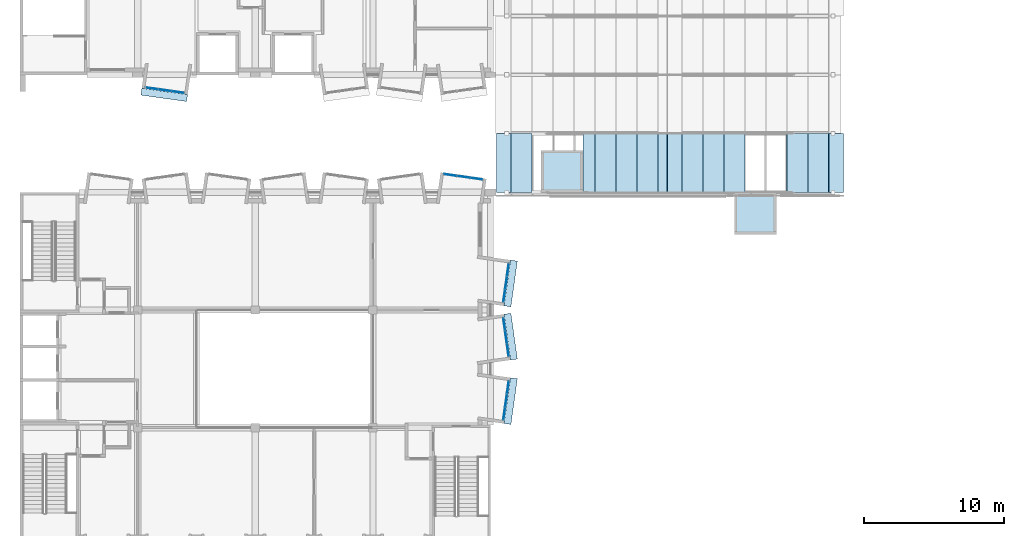
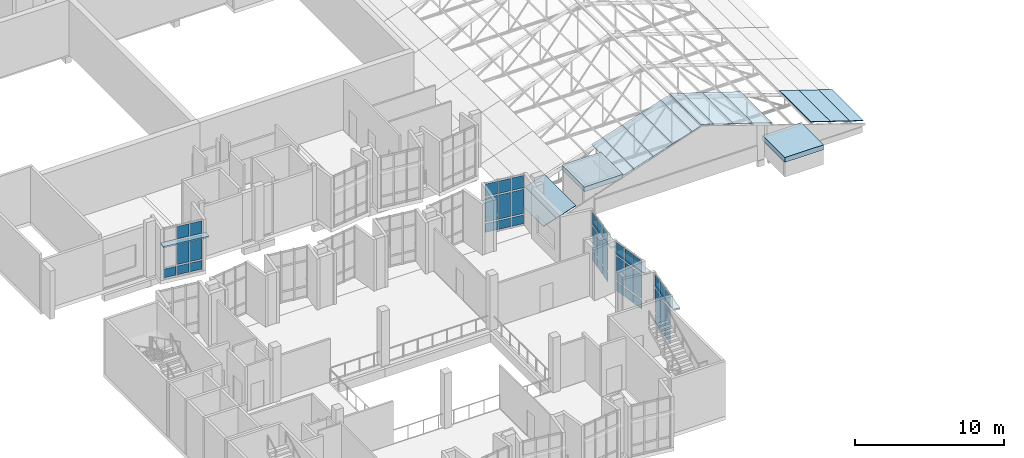
# One storey, part 70 of 95: 61 plates, 2 slabs, 5 elements without a shape of their own.
"""IFC4 building model written with IfcOpenShell, lengths in metres."""

import ifcopenshell
import ifcopenshell.guid

model = None  # the IFC model being written
_history = None  # IfcOwnerHistory: only IFC2X3 demands one
_inside = {}  # id of a spatial element -> (the spatial element, [elements in it])
_under = {}  # id of a project, library or spatial element -> (it, [spatial elements below it])
_declared = {}  # id of a project -> (the project, [libraries it declares])
_typed = {}  # id of a type object -> (the type object, [elements of that type])
_made_of = {}  # id of a material, layer set ... -> (it, [elements and type objects made of it])


def new_model(schema):
    """Start an empty IFC model of exactly this schema.

    Asked for "IFC4X3", IfcOpenShell would pick the latest addendum, in which some entities
    have other attributes; the version numbers below select the first issue.
    IFC2X3 requires an IfcOwnerHistory on every rooted entity: one is made here for all.
    """
    global model, _history
    if schema == "IFC4X3":
        model = ifcopenshell.file(schema_version=(4, 3, 0, 0))
    else:
        model = ifcopenshell.file(schema=schema)
    _inside.clear()
    _under.clear()
    _declared.clear()
    _typed.clear()
    _made_of.clear()
    _history = None
    if model.schema == "IFC2X3":
        org = make("IfcOrganization", Name="unknown")
        user = make(
            "IfcPersonAndOrganization",
            ThePerson=make("IfcPerson", FamilyName="unknown"),
            TheOrganization=org,
        )
        app = make(
            "IfcApplication",
            ApplicationDeveloper=org,
            Version="unknown",
            ApplicationFullName="unknown",
            ApplicationIdentifier="unknown",
        )
        _history = make(
            "IfcOwnerHistory",
            OwningUser=user,
            OwningApplication=app,
            ChangeAction="ADDED",
            CreationDate=0,
        )
    return model


def make(cls, **values):
    """One entity of the class cls with the attributes given. An attribute that is None is left unset."""
    return model.create_entity(
        cls, **{name: value for name, value in values.items() if value is not None}
    )


def rooted(cls, **values):
    """An entity with a GlobalId (a new one), such as an element, a storey or a relation."""
    return make(cls, GlobalId=ifcopenshell.guid.new(), OwnerHistory=_history, **values)


def si_unit(unit_type, name, prefix=None):
    """IfcSIUnit, for example si_unit("LENGTHUNIT", "METRE", prefix="MILLI")."""
    return make("IfcSIUnit", UnitType=unit_type, Prefix=prefix, Name=name)


def assignment(units):
    """IfcUnitAssignment: the units of a project."""
    return None if units is None else make("IfcUnitAssignment", Units=units)


def point(xyz):
    """IfcCartesianPoint."""
    return None if xyz is None else make("IfcCartesianPoint", Coordinates=xyz)


def direction(xyz):
    """IfcDirection."""
    return None if xyz is None else make("IfcDirection", DirectionRatios=xyz)


def frame(location, z_axis=None, x_axis=None):
    """IfcAxis2Placement3D, a coordinate frame: its origin and axes. An axis left out is left unset."""
    return make(
        "IfcAxis2Placement3D",
        Location=point(location),
        Axis=direction(z_axis),
        RefDirection=direction(x_axis),
    )


def frame_2d(location, x_axis=None):
    """IfcAxis2Placement2D, a coordinate frame in the plane: its origin and x axis."""
    return make(
        "IfcAxis2Placement2D", Location=point(location), RefDirection=direction(x_axis)
    )


def origin():
    """The frame at (0, 0, 0) with its axes left unset."""
    return frame((0.0, 0.0, 0.0))


def origin_2d():
    """The frame at (0, 0) in the plane with its x axis left unset."""
    return frame_2d((0.0, 0.0))


def place(relative_to, where):
    """IfcLocalPlacement: puts the frame where relative to a parent placement (None: the world)."""
    return make(
        "IfcLocalPlacement", PlacementRelTo=relative_to, RelativePlacement=where
    )


def context(
    kind, dimensions, precision=None, world=None, true_north=None, identifier=None
):
    """IfcGeometricRepresentationContext, for example the 3D "Model" context."""
    return make(
        "IfcGeometricRepresentationContext",
        ContextIdentifier=identifier,
        ContextType=kind,
        CoordinateSpaceDimension=dimensions,
        Precision=precision,
        WorldCoordinateSystem=world,
        TrueNorth=true_north,
    )


def subcontext(parent, identifier, kind, view, scale=None):
    """IfcGeometricRepresentationSubContext, for example "Body" below "Model"."""
    return make(
        "IfcGeometricRepresentationSubContext",
        ContextIdentifier=identifier,
        ContextType=kind,
        ParentContext=parent,
        TargetScale=scale,
        TargetView=view,
    )


def project(units=None, contexts=None):
    """IfcProject with its units and contexts."""
    return rooted(
        "IfcProject",
        Name="project",
        RepresentationContexts=contexts,
        UnitsInContext=assignment(units),
    )


def spatial(cls, under=None, at=None, **own):
    """A site, building, storey or space (cls), placed at a placement, below another one or the project."""
    s = rooted(cls, ObjectPlacement=at, **own)
    if under is not None:
        _under.setdefault(under.id(), (under, []))[1].append(s)
    return s


def polyline(points):
    """IfcPolyline through the points."""
    return make("IfcPolyline", Points=[point(p) for p in points])


def profile(cls, at=None, kind="AREA", **sizes):
    """A parametric profile (cls). Its sizes go by their IFC names, for example OverallWidth=200.0."""
    return make(cls, ProfileType=kind, Position=at, **sizes)


def rectangle(**sizes):
    """IfcRectangleProfileDef."""
    return profile("IfcRectangleProfileDef", **sizes)


def outline(outer, holes=None, kind="AREA"):
    """IfcArbitraryClosedProfileDef: a profile drawn as a closed curve; with holes, ...WithVoids."""
    if holes is None:
        return make("IfcArbitraryClosedProfileDef", ProfileType=kind, OuterCurve=outer)
    return make(
        "IfcArbitraryProfileDefWithVoids",
        ProfileType=kind,
        OuterCurve=outer,
        InnerCurves=holes,
    )


def extrude(swept, where, along, depth):
    """IfcExtrudedAreaSolid: the profile swept, set in the frame where, extruded along a direction by depth."""
    return make(
        "IfcExtrudedAreaSolid",
        SweptArea=swept,
        Position=where,
        ExtrudedDirection=direction(along),
        Depth=depth,
    )


def shape(context_of_items, identifier, shape_type, items):
    """IfcShapeRepresentation: the items that make up one representation, for example the "Body"."""
    return make(
        "IfcShapeRepresentation",
        ContextOfItems=context_of_items,
        RepresentationIdentifier=identifier,
        RepresentationType=shape_type,
        Items=items,
    )


def material(Name=None, Category=None):
    """IfcMaterial."""
    return make("IfcMaterial", Name=Name, Category=Category)


def layer(
    of_material, thickness, ventilated=None, Name=None, Category=None, Priority=None
):
    """IfcMaterialLayer: one layer of a wall or slab, of a material (None: an air gap)."""
    return make(
        "IfcMaterialLayer",
        Material=of_material,
        LayerThickness=thickness,
        IsVentilated=ventilated,
        Name=Name,
        Category=Category,
        Priority=Priority,
    )


def layer_set(layers, Name=None):
    """IfcMaterialLayerSet."""
    return make("IfcMaterialLayerSet", MaterialLayers=layers, LayerSetName=Name)


def made_of(thing, what):
    """Note that an element or type object is made of a material, layer set ...; save() writes the relation."""
    if what is not None:
        _made_of.setdefault(what.id(), (what, []))[1].append(thing)
    return thing


def type_object(cls, material=None, **own):
    """A type object (cls), such as IfcWallType, which elements share."""
    return made_of(rooted(cls, **own), material)


def element(
    cls,
    number,
    at=None,
    inside=None,
    cuts=None,
    type_object=None,
    material=None,
    context=None,
    identifier="Body",
    shape_type=None,
    held_by="IfcProductDefinitionShape",
    body=None,
    shapes=None,
    **own,
):
    """One element of the class cls, such as IfcWall. Its Tag is "e" and its number.

    at: its placement. inside: the storey or other place that contains it. cuts: it is an
    opening in that element (IfcRelVoidsElement). A single representation is given by context,
    identifier, shape_type and body (its items); several are given by shapes. held_by: the class
    of the entity that holds the representations. save() writes the other relations.
    """
    e = rooted(cls, Tag="e%d" % number, ObjectPlacement=at, **own)
    if body is not None:
        shapes = [shape(context, identifier, shape_type, body)]
    if shapes is not None:
        e.Representation = make(held_by, Representations=shapes)
    if inside is not None:
        _inside.setdefault(inside.id(), (inside, []))[1].append(e)
    if cuts is not None:
        rooted(
            "IfcRelVoidsElement", RelatingBuildingElement=cuts, RelatedOpeningElement=e
        )
    if type_object is not None:
        _typed.setdefault(type_object.id(), (type_object, []))[1].append(e)
    return made_of(e, material)


def aggregate(whole, parts):
    """IfcRelAggregates: a whole, such as a stair, and the parts it consists of."""
    return rooted("IfcRelAggregates", RelatingObject=whole, RelatedObjects=parts)


def save(model, path):
    """Write the relations noted so far, then the file.

    IfcRelAggregates (storeys below a building ...), IfcRelContainedInSpatialStructure (elements
    in a storey), IfcRelDefinesByType, IfcRelAssociatesMaterial and IfcRelDeclares: one each for
    every whole, place, type object, material and project.
    """
    for whole, parts in _under.values():
        aggregate(whole, parts)
    for where, things in _inside.values():
        rooted(
            "IfcRelContainedInSpatialStructure",
            RelatedElements=things,
            RelatingStructure=where,
        )
    for kind, things in _typed.values():
        rooted("IfcRelDefinesByType", RelatedObjects=things, RelatingType=kind)
    for what, things in _made_of.values():
        rooted("IfcRelAssociatesMaterial", RelatedObjects=things, RelatingMaterial=what)
    for by, libraries in _declared.values():
        rooted("IfcRelDeclares", RelatingContext=by, RelatedDefinitions=libraries)
    model.write(path)


model = new_model("IFC4")

# Units and contexts
model_context = context("Model", 3, precision=1e-05, world=origin(), true_north=direction((0.0, 1.0)))
body_context = subcontext(model_context, "Body", "Model", "MODEL_VIEW")
ifc_project = project(units=[si_unit("LENGTHUNIT", "METRE"), si_unit("AREAUNIT", "SQUARE_METRE"), si_unit("VOLUMEUNIT", "CUBIC_METRE"), si_unit("PLANEANGLEUNIT", "RADIAN"), si_unit("MASSUNIT", "GRAM", prefix="KILO")], contexts=[model_context])

# Site, building, storey
site_placement = place(None, origin())
site = spatial("IfcSite", under=ifc_project, at=site_placement, CompositionType="ELEMENT")
building_placement = place(site_placement, origin())
building = spatial("IfcBuilding", under=site, at=building_placement, Name="Kiln Court Media Centre", CompositionType="ELEMENT")
storey_placement = place(building_placement, frame((0.0, 0.0, 24.60009765625)))
storey = spatial("IfcBuildingStorey", under=building, at=storey_placement, Name="L05", CompositionType="ELEMENT", Elevation=24.60009765625)

# Slabs
ifc_material_1 = material(Name="Concrete C30/37", Category="concrete")
ifc_layer_1 = layer(ifc_material_1, 0.39990234375)
ifc_layer_set_1 = layer_set([ifc_layer_1], Name="Concrete C30/37 roof slab 400")
slab_type = type_object("IfcSlabType", Name="Concrete C30/37 roof slab 400", PredefinedType="ROOF", material=ifc_layer_set_1)
slab_1_placement = place(storey_placement, frame((0.0, 0.0, 1.199951171875)))
element("IfcSlab", 1, at=slab_1_placement, inside=storey, type_object=slab_type, Name="L05-SL-1003", PredefinedType="ROOF", context=body_context, shape_type="SweptSolid", body=[
    extrude(outline(polyline([(51.0, 22.199951171875), (51.0, 25.199951171875), (54.0, 25.199951171875), (54.0, 22.199951171875), (51.0, 22.199951171875)])), origin(), (0.0, 0.0, 1.0), 0.39990234375),
])
slab_2_placement = place(storey_placement, frame((0.0, 0.0, 1.7998046875)))
element("IfcSlab", 2, at=slab_2_placement, inside=storey, type_object=slab_type, Name="L05-SL-1004", PredefinedType="ROOF", context=body_context, shape_type="SweptSolid", body=[
    extrude(outline(polyline([(37.199951171875, 25.199951171875), (37.199951171875, 28.199951171875), (40.199951171875, 28.199951171875), (40.199951171875, 25.199951171875), (37.199951171875, 25.199951171875)])), origin(), (0.0, 0.0, 1.0), 0.400146484375),
])

# Plates
ifc_material_2 = material(Name="Concrete C30/37", Category="concrete")
ifc_layer_2 = layer(ifc_material_2, 0.1201171875)
ifc_layer_set_2 = layer_set([ifc_layer_2], Name="Concrete C30/37 sunshade hood 120")
plate_type_1 = type_object("IfcPlateType", Name="Concrete C30/37 sunshade hood 120", PredefinedType="USERDEFINED", material=ifc_layer_set_2)
plate_1_placement = place(storey_placement, frame((0.0, 0.0, 3.0)))
element("IfcPlate", 3, at=plate_1_placement, inside=storey, type_object=plate_type_1, Name="SUNSHADE V4-S-L05-31", ObjectType="SUNSHADE", PredefinedType="USERDEFINED", context=body_context, shape_type="SweptSolid", body=[
    extrude(outline(polyline([(8.698974609375, 32.641357421875), (11.966796875, 32.181884765625), (11.897216796875, 31.68701171875), (8.62939453125, 32.146240234375), (8.698974609375, 32.641357421875)])), origin(), (0.0, 0.0, 1.0), 0.119873046875),
])
plate_2_placement = place(storey_placement, frame((0.0, 0.0, 3.0)))
element("IfcPlate", 4, at=plate_2_placement, inside=storey, type_object=plate_type_1, Name="SUNSHADE V6A-E-L05-03", ObjectType="SUNSHADE", PredefinedType="USERDEFINED", context=body_context, shape_type="SweptSolid", body=[
    extrude(outline(polyline([(34.55859375, 8.698974609375), (35.01806640625, 11.966796875), (35.51318359375, 11.897216796875), (35.0537109375, 8.62939453125), (34.55859375, 8.698974609375)])), origin(), (0.0, 0.0, 1.0), 0.119873046875),
])
plate_3_placement = place(storey_placement, frame((0.0, 0.0, 3.0)))
element("IfcPlate", 5, at=plate_3_placement, inside=storey, type_object=plate_type_1, Name="SUNSHADE V6A-E-L05-04", ObjectType="SUNSHADE", PredefinedType="USERDEFINED", context=body_context, shape_type="SweptSolid", body=[
    extrude(outline(polyline([(35.01806640625, 13.233154296875), (34.55859375, 16.5009765625), (35.0537109375, 16.570556640625), (35.51318359375, 13.302734375), (35.01806640625, 13.233154296875)])), origin(), (0.0, 0.0, 1.0), 0.119873046875),
])
plate_4_placement = place(storey_placement, frame((0.0, 0.0, 3.0)))
element("IfcPlate", 6, at=plate_4_placement, inside=storey, type_object=plate_type_1, Name="SUNSHADE V6A-E-L05-05", ObjectType="SUNSHADE", PredefinedType="USERDEFINED", context=body_context, shape_type="SweptSolid", body=[
    extrude(outline(polyline([(34.55859375, 17.09912109375), (35.01806640625, 20.366943359375), (35.51318359375, 20.29736328125), (35.0537109375, 17.029541015625), (34.55859375, 17.09912109375)])), origin(), (0.0, 0.0, 1.0), 0.119873046875),
])

# Curtain wall, plates
ifc_material_3 = material(Name="Aluminium 6063-T6", Category="aluminium")
ifc_layer_3 = layer(ifc_material_3, 0.1201171875)
ifc_layer_set_3 = layer_set([ifc_layer_3], Name="Aluminium unitised bay curtain wall")
curtain_wall_type = type_object("IfcCurtainWallType", Name="Aluminium unitised bay curtain wall", PredefinedType="USERDEFINED", material=ifc_layer_set_3)
curtain_wall_1_placement = place(storey_placement, origin())
curtain_wall_1 = element("IfcCurtainWall", 7, at=curtain_wall_1_placement, inside=storey, type_object=curtain_wall_type, Name="BAY V4-S-L05-31 front", ObjectType="UNITISED CURTAIN WALL", PredefinedType="USERDEFINED")
ifc_material_4 = material(Name="Aluminium insulated spandrel", Category="aluminium")
ifc_layer_4 = layer(ifc_material_4, 0.028076171875)
ifc_layer_set_4 = layer_set([ifc_layer_4], Name="Insulated spandrel panel 28")
plate_type_2 = type_object("IfcPlateType", Name="Insulated spandrel panel 28", PredefinedType="CURTAIN_PANEL", material=ifc_layer_set_4)
plate_5_placement = place(storey_placement, frame((9.41162109375, 32.621826171875, 0.1201171875), z_axis=(0.0, 0.0, 1.0), x_axis=(0.990269562409, -0.139162472554, 0.0)))
plate_5 = element("IfcPlate", 8, at=plate_5_placement, type_object=plate_type_2, Name="CW5-01 panel 1.1", PredefinedType="CURTAIN_PANEL", context=body_context, shape_type="SweptSolid", body=[
    extrude(rectangle(XDim=0.86669921875, YDim=0.028076171875, at=origin_2d()), origin(), (0.0, 0.0, 1.0), 0.719970703125),
])
plate_6_placement = place(storey_placement, frame((10.34423828125, 32.490966796875, 0.1201171875), z_axis=(0.0, 0.0, 1.0), x_axis=(0.990269562409, -0.139162472554, 0.0)))
plate_6 = element("IfcPlate", 9, at=plate_6_placement, type_object=plate_type_2, Name="CW5-01 panel 2.1", PredefinedType="CURTAIN_PANEL", context=body_context, shape_type="SweptSolid", body=[
    extrude(rectangle(XDim=0.896728515625, YDim=0.028076171875, at=origin_2d()), origin(), (0.0, 0.0, 1.0), 0.719970703125),
])
plate_7_placement = place(storey_placement, frame((11.276611328125, 32.35986328125, 0.1201171875), z_axis=(0.0, 0.0, 1.0), x_axis=(0.990269562409, -0.139162472554, 0.0)))
plate_7 = element("IfcPlate", 10, at=plate_7_placement, type_object=plate_type_2, Name="CW5-01 panel 3.1", PredefinedType="CURTAIN_PANEL", context=body_context, shape_type="SweptSolid", body=[
    extrude(rectangle(XDim=0.86669921875, YDim=0.028076171875, at=origin_2d()), origin(), (0.0, 0.0, 1.0), 0.719970703125),
])

curtain_wall_2_placement = place(storey_placement, origin())
curtain_wall_2 = element("IfcCurtainWall", 11, at=curtain_wall_2_placement, inside=storey, type_object=curtain_wall_type, Name="BAY V6A-E-L05-03 front", ObjectType="UNITISED CURTAIN WALL", PredefinedType="USERDEFINED")
plate_8_placement = place(storey_placement, frame((34.578125, 9.41162109375, 0.1201171875), z_axis=(0.0, 0.0, 1.0), x_axis=(0.139162472554, 0.990269562409, 0.0)))
plate_8 = element("IfcPlate", 12, at=plate_8_placement, type_object=plate_type_2, Name="CW5-05 panel 1.1", PredefinedType="CURTAIN_PANEL", context=body_context, shape_type="SweptSolid", body=[
    extrude(rectangle(XDim=0.86669921875, YDim=0.028076171875, at=origin_2d()), origin(), (0.0, 0.0, 1.0), 0.719970703125),
])
plate_9_placement = place(storey_placement, frame((34.708984375, 10.34423828125, 0.1201171875), z_axis=(0.0, 0.0, 1.0), x_axis=(0.139162472554, 0.990269562409, 0.0)))
plate_9 = element("IfcPlate", 13, at=plate_9_placement, type_object=plate_type_2, Name="CW5-05 panel 2.1", PredefinedType="CURTAIN_PANEL", context=body_context, shape_type="SweptSolid", body=[
    extrude(rectangle(XDim=0.896728515625, YDim=0.028076171875, at=origin_2d()), origin(), (0.0, 0.0, 1.0), 0.719970703125),
])
plate_10_placement = place(storey_placement, frame((34.840087890625, 11.276611328125, 0.1201171875), z_axis=(0.0, 0.0, 1.0), x_axis=(0.139162472554, 0.990269562409, 0.0)))
plate_10 = element("IfcPlate", 14, at=plate_10_placement, type_object=plate_type_2, Name="CW5-05 panel 3.1", PredefinedType="CURTAIN_PANEL", context=body_context, shape_type="SweptSolid", body=[
    extrude(rectangle(XDim=0.86669921875, YDim=0.028076171875, at=origin_2d()), origin(), (0.0, 0.0, 1.0), 0.719970703125),
])

curtain_wall_3_placement = place(storey_placement, origin())
curtain_wall_3 = element("IfcCurtainWall", 15, at=curtain_wall_3_placement, inside=storey, type_object=curtain_wall_type, Name="BAY V6A-E-L05-04 front", ObjectType="UNITISED CURTAIN WALL", PredefinedType="USERDEFINED")
plate_11_placement = place(storey_placement, frame((34.840087890625, 13.92333984375, 0.1201171875), z_axis=(0.0, 0.0, 1.0), x_axis=(-0.139162472554, 0.990269562409, 0.0)))
plate_11 = element("IfcPlate", 16, at=plate_11_placement, type_object=plate_type_2, Name="CW5-06 panel 1.1", PredefinedType="CURTAIN_PANEL", context=body_context, shape_type="SweptSolid", body=[
    extrude(rectangle(XDim=0.86669921875, YDim=0.028076171875, at=origin_2d()), origin(), (0.0, 0.0, 1.0), 0.719970703125),
])
plate_12_placement = place(storey_placement, frame((34.708984375, 14.85595703125, 0.1201171875), z_axis=(0.0, 0.0, 1.0), x_axis=(-0.139162472554, 0.990269562409, 0.0)))
plate_12 = element("IfcPlate", 17, at=plate_12_placement, type_object=plate_type_2, Name="CW5-06 panel 2.1", PredefinedType="CURTAIN_PANEL", context=body_context, shape_type="SweptSolid", body=[
    extrude(rectangle(XDim=0.896728515625, YDim=0.028076171875, at=origin_2d()), origin(), (0.0, 0.0, 1.0), 0.719970703125),
])
plate_13_placement = place(storey_placement, frame((34.578125, 15.788330078125, 0.1201171875), z_axis=(0.0, 0.0, 1.0), x_axis=(-0.139162472554, 0.990269562409, 0.0)))
plate_13 = element("IfcPlate", 18, at=plate_13_placement, type_object=plate_type_2, Name="CW5-06 panel 3.1", PredefinedType="CURTAIN_PANEL", context=body_context, shape_type="SweptSolid", body=[
    extrude(rectangle(XDim=0.86669921875, YDim=0.028076171875, at=origin_2d()), origin(), (0.0, 0.0, 1.0), 0.719970703125),
])

curtain_wall_4_placement = place(storey_placement, origin())
curtain_wall_4 = element("IfcCurtainWall", 19, at=curtain_wall_4_placement, inside=storey, type_object=curtain_wall_type, Name="BAY V6A-E-L05-05 front", ObjectType="UNITISED CURTAIN WALL", PredefinedType="USERDEFINED")
plate_14_placement = place(storey_placement, frame((34.578125, 17.8115234375, 0.1201171875), z_axis=(0.0, 0.0, 1.0), x_axis=(0.139162472554, 0.990269562409, 0.0)))
plate_14 = element("IfcPlate", 20, at=plate_14_placement, type_object=plate_type_2, Name="CW5-07 panel 1.1", PredefinedType="CURTAIN_PANEL", context=body_context, shape_type="SweptSolid", body=[
    extrude(rectangle(XDim=0.86669921875, YDim=0.028076171875, at=origin_2d()), origin(), (0.0, 0.0, 1.0), 0.719970703125),
])
plate_15_placement = place(storey_placement, frame((34.708984375, 18.744140625, 0.1201171875), z_axis=(0.0, 0.0, 1.0), x_axis=(0.139162472554, 0.990269562409, 0.0)))
plate_15 = element("IfcPlate", 21, at=plate_15_placement, type_object=plate_type_2, Name="CW5-07 panel 2.1", PredefinedType="CURTAIN_PANEL", context=body_context, shape_type="SweptSolid", body=[
    extrude(rectangle(XDim=0.896728515625, YDim=0.028076171875, at=origin_2d()), origin(), (0.0, 0.0, 1.0), 0.719970703125),
])
plate_16_placement = place(storey_placement, frame((34.840087890625, 19.6767578125, 0.1201171875), z_axis=(0.0, 0.0, 1.0), x_axis=(0.139162472554, 0.990269562409, 0.0)))
plate_16 = element("IfcPlate", 22, at=plate_16_placement, type_object=plate_type_2, Name="CW5-07 panel 3.1", PredefinedType="CURTAIN_PANEL", context=body_context, shape_type="SweptSolid", body=[
    extrude(rectangle(XDim=0.86669921875, YDim=0.028076171875, at=origin_2d()), origin(), (0.0, 0.0, 1.0), 0.719970703125),
])

curtain_wall_5_placement = place(storey_placement, origin())
curtain_wall_5 = element("IfcCurtainWall", 23, at=curtain_wall_5_placement, inside=storey, type_object=curtain_wall_type, Name="BAY V6A-N-L05-36 front", ObjectType="UNITISED CURTAIN WALL", PredefinedType="USERDEFINED")
plate_17_placement = place(storey_placement, frame((30.723388671875, 26.440185546875, 0.1201171875), z_axis=(0.0, 0.0, 1.0), x_axis=(0.990269562409, -0.139162472554, 0.0)))
plate_17 = element("IfcPlate", 24, at=plate_17_placement, type_object=plate_type_2, Name="CW5-14 panel 1.1", PredefinedType="CURTAIN_PANEL", context=body_context, shape_type="SweptSolid", body=[
    extrude(rectangle(XDim=0.86669921875, YDim=0.028076171875, at=origin_2d()), origin(), (0.0, 0.0, 1.0), 0.719970703125),
])
plate_18_placement = place(storey_placement, frame((31.65576171875, 26.30908203125, 0.1201171875), z_axis=(0.0, 0.0, 1.0), x_axis=(0.990269562409, -0.139162472554, 0.0)))
plate_18 = element("IfcPlate", 25, at=plate_18_placement, type_object=plate_type_2, Name="CW5-14 panel 2.1", PredefinedType="CURTAIN_PANEL", context=body_context, shape_type="SweptSolid", body=[
    extrude(rectangle(XDim=0.896728515625, YDim=0.028076171875, at=origin_2d()), origin(), (0.0, 0.0, 1.0), 0.719970703125),
])
plate_19_placement = place(storey_placement, frame((32.58837890625, 26.177978515625, 0.1201171875), z_axis=(0.0, 0.0, 1.0), x_axis=(0.990269562409, -0.139162472554, 0.0)))
plate_19 = element("IfcPlate", 26, at=plate_19_placement, type_object=plate_type_2, Name="CW5-14 panel 3.1", PredefinedType="CURTAIN_PANEL", context=body_context, shape_type="SweptSolid", body=[
    extrude(rectangle(XDim=0.86669921875, YDim=0.028076171875, at=origin_2d()), origin(), (0.0, 0.0, 1.0), 0.719970703125),
])

# Plates
ifc_material_5 = material(Name="Laminated low-E glazing", Category="glass")
ifc_layer_5 = layer(ifc_material_5, 0.0439453125)
ifc_layer_set_5 = layer_set([ifc_layer_5], Name="Laminated low-E skylight glazing 44")
plate_type_3 = type_object("IfcPlateType", Name="Laminated low-E skylight glazing 44", PredefinedType="USERDEFINED", material=ifc_layer_set_5)
plate_20_placement = place(storey_placement, frame((58.813720703125, 29.39990234375, 0.08349609375), z_axis=(0.308873525372, 0.0, 0.951103120237), x_axis=(-0.951103120237, 0.0, 0.308873525372)))
element("IfcPlate", 27, at=plate_20_placement, inside=storey, type_object=plate_type_3, Name="Foyer roof glazing east 1.1", ObjectType="SKYLIGHT GLAZING", PredefinedType="USERDEFINED", context=body_context, shape_type="SweptSolid", body=[
    extrude(outline(polyline([(0.0, 0.0), (1.1168671795657157, 0.0), (1.1168671795657157, 4.199951171875), (0.0, 4.199951171875), (0.0, 0.0)])), origin(), (0.0, 0.0, -1.0), 0.0439453125),
])
plate_21_placement = place(storey_placement, frame((57.75146484375, 29.39990234375, 0.428466796875), z_axis=(0.309114072515, 0.0, 0.951024968218), x_axis=(-0.951024968218, 0.0, 0.309114072515)))
element("IfcPlate", 28, at=plate_21_placement, inside=storey, type_object=plate_type_3, Name="Foyer roof glazing east 2.1", ObjectType="SKYLIGHT GLAZING", PredefinedType="USERDEFINED", context=body_context, shape_type="SweptSolid", body=[
    extrude(outline(polyline([(0.0, 0.0), (1.577245656137959, 0.0), (1.577245656137959, 4.199951171875001), (0.0, 4.199951171875001), (0.0, 0.0)])), origin(), (0.0, 0.0, -1.0), 0.0439453125),
])
for number, where, z_axis, x_axis, name in (
    (29, (56.25146484375, 29.39990234375, 0.916015625), (0.308974063591, 0.0, 0.951070464281), (-0.951070464281, 0.0, 0.308974063591), "Foyer roof glazing east 3.1"),
    (30, (51.75146484375, 29.39990234375, 2.378173828125), (0.308974063591, 0.0, 0.951070464281), (-0.951070464281, 0.0, 0.308974063591), "Foyer roof glazing east 6.1"),
    (31, (50.25146484375, 29.39990234375, 2.865478515625), (0.308974063591, 0.0, 0.951070464281), (-0.951070464281, 0.0, 0.308974063591), "Foyer roof glazing east 7.1"),
    (32, (48.75146484375, 29.39990234375, 3.352783203125), (0.308974063591, 0.0, 0.951070464281), (-0.951070464281, 0.0, 0.308974063591), "Foyer roof glazing east 8.1"),
):
    element("IfcPlate", number, at=place(storey_placement, frame(where, z_axis=z_axis, x_axis=x_axis)), inside=storey, type_object=plate_type_3, Name=name, ObjectType="SKYLIGHT GLAZING", PredefinedType="USERDEFINED", context=body_context, shape_type="SweptSolid", body=[
        extrude(outline(polyline([(0.0, 0.0), (1.5771702059256232, 0.0), (1.5771702059256232, 4.199951171875), (0.0, 4.199951171875), (0.0, 0.0)])), origin(), (0.0, 0.0, -1.0), 0.0439453125),
    ])
plate_22_placement = place(storey_placement, frame((47.25146484375, 29.39990234375, 3.840087890625), z_axis=(0.309009902499, 0.0, 0.951058820556), x_axis=(-0.951058820556, 0.0, 0.309009902499)))
element("IfcPlate", 33, at=plate_22_placement, inside=storey, type_object=plate_type_3, Name="Foyer roof glazing east 9.1", ObjectType="SKYLIGHT GLAZING", PredefinedType="USERDEFINED", context=body_context, shape_type="SweptSolid", body=[
    extrude(outline(polyline([(0.0, 0.0), (1.0871415358627208, 0.0), (1.0871415358627208, 4.199951171875), (0.0, 4.199951171875), (0.0, 0.0)])), origin(), (0.0, 0.0, -1.0), 0.0439453125),
])
plate_23_placement = place(storey_placement, frame((34.036376953125, 25.199951171875, 0.099609375), z_axis=(-0.308992705592, 0.0, 0.951064407856), x_axis=(0.951064407856, 0.0, 0.308992705592)))
element("IfcPlate", 34, at=plate_23_placement, inside=storey, type_object=plate_type_3, Name="Foyer roof glazing west 1.1", ObjectType="SKYLIGHT GLAZING", PredefinedType="USERDEFINED", context=body_context, shape_type="SweptSolid", body=[
    extrude(outline(polyline([(0.0, 0.0), (1.0642886253428674, 0.0), (1.0642886253428674, 4.199951171875), (0.0, 4.199951171875), (0.0, 0.0)])), origin(), (0.0, 0.0, -1.0), 0.0439453125),
])
plate_24_placement = place(storey_placement, frame((35.048583984375, 25.199951171875, 0.428466796875), z_axis=(-0.309114072515, 0.0, 0.951024968218), x_axis=(0.951024968218, 0.0, 0.309114072515)))
element("IfcPlate", 35, at=plate_24_placement, inside=storey, type_object=plate_type_3, Name="Foyer roof glazing west 2.1", ObjectType="SKYLIGHT GLAZING", PredefinedType="USERDEFINED", context=body_context, shape_type="SweptSolid", body=[
    extrude(outline(polyline([(0.0, 0.0), (1.577245656137959, 0.0), (1.577245656137959, 4.199951171875001), (0.0, 4.199951171875001), (0.0, 0.0)])), origin(), (0.0, 0.0, -1.0), 0.0439453125),
])
plate_25_placement = place(storey_placement, frame((40.1865234375, 25.199951171875, 2.097900390625), z_axis=(-0.309189599995, 0.0, 0.951000416012), x_axis=(0.951000416012, 0.0, 0.309189599995)))
element("IfcPlate", 36, at=plate_25_placement, inside=storey, type_object=plate_type_3, Name="Foyer roof glazing west 5.1", ObjectType="SKYLIGHT GLAZING", PredefinedType="USERDEFINED", context=body_context, shape_type="SweptSolid", body=[
    extrude(outline(polyline([(0.0, 0.0), (0.9064775707354763, 0.0), (0.9064775707354763, 4.199951171875001), (0.0, 4.199951171875001), (0.0, 0.0)])), origin(), (0.0, 0.0, -1.0), 0.0439453125),
])
for number, where, z_axis, x_axis, name in (
    (37, (41.048583984375, 25.199951171875, 2.378173828125), (-0.308974063591, 0.0, 0.951070464281), (0.951070464281, 0.0, 0.308974063591), "Foyer roof glazing west 6.1"),
    (38, (42.548583984375, 25.199951171875, 2.865478515625), (-0.308974063591, 0.0, 0.951070464281), (0.951070464281, 0.0, 0.308974063591), "Foyer roof glazing west 7.1"),
    (39, (44.048583984375, 25.199951171875, 3.352783203125), (-0.308974063591, 0.0, 0.951070464281), (0.951070464281, 0.0, 0.308974063591), "Foyer roof glazing west 8.1"),
):
    element("IfcPlate", number, at=place(storey_placement, frame(where, z_axis=z_axis, x_axis=x_axis)), inside=storey, type_object=plate_type_3, Name=name, ObjectType="SKYLIGHT GLAZING", PredefinedType="USERDEFINED", context=body_context, shape_type="SweptSolid", body=[
        extrude(outline(polyline([(0.0, 0.0), (1.5771702059256232, 0.0), (1.5771702059256232, 4.199951171875), (0.0, 4.199951171875), (0.0, 0.0)])), origin(), (0.0, 0.0, -1.0), 0.0439453125),
    ])
plate_26_placement = place(storey_placement, frame((45.548583984375, 25.199951171875, 3.840087890625), z_axis=(-0.309185471485, 0.0, 0.951001758265), x_axis=(0.951001758265, 0.0, 0.309185471485)))
element("IfcPlate", 40, at=plate_26_placement, inside=storey, type_object=plate_type_3, Name="Foyer roof glazing west 9.1", ObjectType="SKYLIGHT GLAZING", PredefinedType="USERDEFINED", context=body_context, shape_type="SweptSolid", body=[
    extrude(outline(polyline([(0.0, 0.0), (0.6664436285128335, 0.0), (0.6664436285128335, 4.199951171875), (0.0, 4.199951171875), (0.0, 0.0)])), origin(), (0.0, 0.0, -1.0), 0.0439453125),
])

# Plate
ifc_material_6 = material(Name="Low-E double glazing", Category="glass")
ifc_layer_6 = layer(ifc_material_6, 0.028076171875)
ifc_layer_set_6 = layer_set([ifc_layer_6], Name="Low-E double glazed panel 28")
plate_type_4 = type_object("IfcPlateType", Name="Low-E double glazed panel 28", PredefinedType="CURTAIN_PANEL", material=ifc_layer_set_6)
plate_27_placement = place(storey_placement, frame((10.34423828125, 32.490966796875, 0.9599609375), z_axis=(0.0, 0.0, 1.0), x_axis=(0.990269562409, -0.139162472554, 0.0)))
plate_27 = element("IfcPlate", 41, at=plate_27_placement, type_object=plate_type_4, Name="CW5-01 panel 2.2", PredefinedType="CURTAIN_PANEL", context=body_context, shape_type="SweptSolid", body=[
    extrude(rectangle(XDim=0.896728515625, YDim=0.028076171875, at=origin_2d()), origin(), (0.0, 0.0, 1.0), 1.97998046875),
])

plate_28_placement = place(storey_placement, frame((10.34423828125, 32.490966796875, 3.059814453125), z_axis=(0.0, 0.0, 1.0), x_axis=(0.990269562409, -0.139162472554, 0.0)))
plate_28 = element("IfcPlate", 42, at=plate_28_placement, type_object=plate_type_4, Name="CW5-01 panel 2.3", PredefinedType="CURTAIN_PANEL", context=body_context, shape_type="SweptSolid", body=[
    extrude(rectangle(XDim=0.896728515625, YDim=0.028076171875, at=origin_2d()), origin(), (0.0, 0.0, 1.0), 1.02001953125),
])

plate_29_placement = place(storey_placement, frame((11.276611328125, 32.35986328125, 0.9599609375), z_axis=(0.0, 0.0, 1.0), x_axis=(0.990269562409, -0.139162472554, 0.0)))
plate_29 = element("IfcPlate", 43, at=plate_29_placement, type_object=plate_type_4, Name="CW5-01 panel 3.2", PredefinedType="CURTAIN_PANEL", context=body_context, shape_type="SweptSolid", body=[
    extrude(rectangle(XDim=0.86669921875, YDim=0.028076171875, at=origin_2d()), origin(), (0.0, 0.0, 1.0), 1.97998046875),
])

plate_30_placement = place(storey_placement, frame((11.276611328125, 32.35986328125, 3.059814453125), z_axis=(0.0, 0.0, 1.0), x_axis=(0.990269562409, -0.139162472554, 0.0)))
plate_30 = element("IfcPlate", 44, at=plate_30_placement, type_object=plate_type_4, Name="CW5-01 panel 3.3", PredefinedType="CURTAIN_PANEL", context=body_context, shape_type="SweptSolid", body=[
    extrude(rectangle(XDim=0.86669921875, YDim=0.028076171875, at=origin_2d()), origin(), (0.0, 0.0, 1.0), 1.02001953125),
])

aggregate(curtain_wall_1, [plate_5, plate_6, plate_27, plate_28, plate_7, plate_29, plate_30])

plate_31_placement = place(storey_placement, frame((34.578125, 9.41162109375, 0.9599609375), z_axis=(0.0, 0.0, 1.0), x_axis=(0.139162472554, 0.990269562409, 0.0)))
plate_31 = element("IfcPlate", 45, at=plate_31_placement, type_object=plate_type_4, Name="CW5-05 panel 1.2", PredefinedType="CURTAIN_PANEL", context=body_context, shape_type="SweptSolid", body=[
    extrude(rectangle(XDim=0.86669921875, YDim=0.028076171875, at=origin_2d()), origin(), (0.0, 0.0, 1.0), 1.97998046875),
])

plate_32_placement = place(storey_placement, frame((34.578125, 9.41162109375, 3.059814453125), z_axis=(0.0, 0.0, 1.0), x_axis=(0.139162472554, 0.990269562409, 0.0)))
plate_32 = element("IfcPlate", 46, at=plate_32_placement, type_object=plate_type_4, Name="CW5-05 panel 1.3", PredefinedType="CURTAIN_PANEL", context=body_context, shape_type="SweptSolid", body=[
    extrude(rectangle(XDim=0.86669921875, YDim=0.028076171875, at=origin_2d()), origin(), (0.0, 0.0, 1.0), 1.02001953125),
])

plate_33_placement = place(storey_placement, frame((34.708984375, 10.34423828125, 0.9599609375), z_axis=(0.0, 0.0, 1.0), x_axis=(0.139162472554, 0.990269562409, 0.0)))
plate_33 = element("IfcPlate", 47, at=plate_33_placement, type_object=plate_type_4, Name="CW5-05 panel 2.2", PredefinedType="CURTAIN_PANEL", context=body_context, shape_type="SweptSolid", body=[
    extrude(rectangle(XDim=0.896728515625, YDim=0.028076171875, at=origin_2d()), origin(), (0.0, 0.0, 1.0), 1.97998046875),
])

plate_34_placement = place(storey_placement, frame((34.708984375, 10.34423828125, 3.059814453125), z_axis=(0.0, 0.0, 1.0), x_axis=(0.139162472554, 0.990269562409, 0.0)))
plate_34 = element("IfcPlate", 48, at=plate_34_placement, type_object=plate_type_4, Name="CW5-05 panel 2.3", PredefinedType="CURTAIN_PANEL", context=body_context, shape_type="SweptSolid", body=[
    extrude(rectangle(XDim=0.896728515625, YDim=0.028076171875, at=origin_2d()), origin(), (0.0, 0.0, 1.0), 1.02001953125),
])

plate_35_placement = place(storey_placement, frame((34.840087890625, 11.276611328125, 0.9599609375), z_axis=(0.0, 0.0, 1.0), x_axis=(0.139162472554, 0.990269562409, 0.0)))
plate_35 = element("IfcPlate", 49, at=plate_35_placement, type_object=plate_type_4, Name="CW5-05 panel 3.2", PredefinedType="CURTAIN_PANEL", context=body_context, shape_type="SweptSolid", body=[
    extrude(rectangle(XDim=0.86669921875, YDim=0.028076171875, at=origin_2d()), origin(), (0.0, 0.0, 1.0), 1.97998046875),
])

plate_36_placement = place(storey_placement, frame((34.840087890625, 11.276611328125, 3.059814453125), z_axis=(0.0, 0.0, 1.0), x_axis=(0.139162472554, 0.990269562409, 0.0)))
plate_36 = element("IfcPlate", 50, at=plate_36_placement, type_object=plate_type_4, Name="CW5-05 panel 3.3", PredefinedType="CURTAIN_PANEL", context=body_context, shape_type="SweptSolid", body=[
    extrude(rectangle(XDim=0.86669921875, YDim=0.028076171875, at=origin_2d()), origin(), (0.0, 0.0, 1.0), 1.02001953125),
])

aggregate(curtain_wall_2, [plate_8, plate_31, plate_32, plate_9, plate_33, plate_34, plate_10, plate_35, plate_36])

plate_37_placement = place(storey_placement, frame((34.840087890625, 13.92333984375, 0.9599609375), z_axis=(0.0, 0.0, 1.0), x_axis=(-0.139162472554, 0.990269562409, 0.0)))
plate_37 = element("IfcPlate", 51, at=plate_37_placement, type_object=plate_type_4, Name="CW5-06 panel 1.2", PredefinedType="CURTAIN_PANEL", context=body_context, shape_type="SweptSolid", body=[
    extrude(rectangle(XDim=0.86669921875, YDim=0.028076171875, at=origin_2d()), origin(), (0.0, 0.0, 1.0), 1.97998046875),
])

plate_38_placement = place(storey_placement, frame((34.840087890625, 13.92333984375, 3.059814453125), z_axis=(0.0, 0.0, 1.0), x_axis=(-0.139162472554, 0.990269562409, 0.0)))
plate_38 = element("IfcPlate", 52, at=plate_38_placement, type_object=plate_type_4, Name="CW5-06 panel 1.3", PredefinedType="CURTAIN_PANEL", context=body_context, shape_type="SweptSolid", body=[
    extrude(rectangle(XDim=0.86669921875, YDim=0.028076171875, at=origin_2d()), origin(), (0.0, 0.0, 1.0), 1.02001953125),
])

plate_39_placement = place(storey_placement, frame((34.708984375, 14.85595703125, 0.9599609375), z_axis=(0.0, 0.0, 1.0), x_axis=(-0.139162472554, 0.990269562409, 0.0)))
plate_39 = element("IfcPlate", 53, at=plate_39_placement, type_object=plate_type_4, Name="CW5-06 panel 2.2", PredefinedType="CURTAIN_PANEL", context=body_context, shape_type="SweptSolid", body=[
    extrude(rectangle(XDim=0.896728515625, YDim=0.028076171875, at=origin_2d()), origin(), (0.0, 0.0, 1.0), 1.97998046875),
])

plate_40_placement = place(storey_placement, frame((34.708984375, 14.85595703125, 3.059814453125), z_axis=(0.0, 0.0, 1.0), x_axis=(-0.139162472554, 0.990269562409, 0.0)))
plate_40 = element("IfcPlate", 54, at=plate_40_placement, type_object=plate_type_4, Name="CW5-06 panel 2.3", PredefinedType="CURTAIN_PANEL", context=body_context, shape_type="SweptSolid", body=[
    extrude(rectangle(XDim=0.896728515625, YDim=0.028076171875, at=origin_2d()), origin(), (0.0, 0.0, 1.0), 1.02001953125),
])

plate_41_placement = place(storey_placement, frame((34.578125, 15.788330078125, 0.9599609375), z_axis=(0.0, 0.0, 1.0), x_axis=(-0.139162472554, 0.990269562409, 0.0)))
plate_41 = element("IfcPlate", 55, at=plate_41_placement, type_object=plate_type_4, Name="CW5-06 panel 3.2", PredefinedType="CURTAIN_PANEL", context=body_context, shape_type="SweptSolid", body=[
    extrude(rectangle(XDim=0.86669921875, YDim=0.028076171875, at=origin_2d()), origin(), (0.0, 0.0, 1.0), 1.97998046875),
])

plate_42_placement = place(storey_placement, frame((34.578125, 15.788330078125, 3.059814453125), z_axis=(0.0, 0.0, 1.0), x_axis=(-0.139162472554, 0.990269562409, 0.0)))
plate_42 = element("IfcPlate", 56, at=plate_42_placement, type_object=plate_type_4, Name="CW5-06 panel 3.3", PredefinedType="CURTAIN_PANEL", context=body_context, shape_type="SweptSolid", body=[
    extrude(rectangle(XDim=0.86669921875, YDim=0.028076171875, at=origin_2d()), origin(), (0.0, 0.0, 1.0), 1.02001953125),
])

aggregate(curtain_wall_3, [plate_11, plate_37, plate_38, plate_12, plate_39, plate_40, plate_13, plate_41, plate_42])

plate_43_placement = place(storey_placement, frame((34.578125, 17.8115234375, 0.9599609375), z_axis=(0.0, 0.0, 1.0), x_axis=(0.139162472554, 0.990269562409, 0.0)))
plate_43 = element("IfcPlate", 57, at=plate_43_placement, type_object=plate_type_4, Name="CW5-07 panel 1.2", PredefinedType="CURTAIN_PANEL", context=body_context, shape_type="SweptSolid", body=[
    extrude(rectangle(XDim=0.86669921875, YDim=0.028076171875, at=origin_2d()), origin(), (0.0, 0.0, 1.0), 1.97998046875),
])

plate_44_placement = place(storey_placement, frame((34.578125, 17.8115234375, 3.059814453125), z_axis=(0.0, 0.0, 1.0), x_axis=(0.139162472554, 0.990269562409, 0.0)))
plate_44 = element("IfcPlate", 58, at=plate_44_placement, type_object=plate_type_4, Name="CW5-07 panel 1.3", PredefinedType="CURTAIN_PANEL", context=body_context, shape_type="SweptSolid", body=[
    extrude(rectangle(XDim=0.86669921875, YDim=0.028076171875, at=origin_2d()), origin(), (0.0, 0.0, 1.0), 1.02001953125),
])

plate_45_placement = place(storey_placement, frame((34.708984375, 18.744140625, 0.9599609375), z_axis=(0.0, 0.0, 1.0), x_axis=(0.139162472554, 0.990269562409, 0.0)))
plate_45 = element("IfcPlate", 59, at=plate_45_placement, type_object=plate_type_4, Name="CW5-07 panel 2.2", PredefinedType="CURTAIN_PANEL", context=body_context, shape_type="SweptSolid", body=[
    extrude(rectangle(XDim=0.896728515625, YDim=0.028076171875, at=origin_2d()), origin(), (0.0, 0.0, 1.0), 1.97998046875),
])

plate_46_placement = place(storey_placement, frame((34.708984375, 18.744140625, 3.059814453125), z_axis=(0.0, 0.0, 1.0), x_axis=(0.139162472554, 0.990269562409, 0.0)))
plate_46 = element("IfcPlate", 60, at=plate_46_placement, type_object=plate_type_4, Name="CW5-07 panel 2.3", PredefinedType="CURTAIN_PANEL", context=body_context, shape_type="SweptSolid", body=[
    extrude(rectangle(XDim=0.896728515625, YDim=0.028076171875, at=origin_2d()), origin(), (0.0, 0.0, 1.0), 1.02001953125),
])

plate_47_placement = place(storey_placement, frame((34.840087890625, 19.6767578125, 0.9599609375), z_axis=(0.0, 0.0, 1.0), x_axis=(0.139162472554, 0.990269562409, 0.0)))
plate_47 = element("IfcPlate", 61, at=plate_47_placement, type_object=plate_type_4, Name="CW5-07 panel 3.2", PredefinedType="CURTAIN_PANEL", context=body_context, shape_type="SweptSolid", body=[
    extrude(rectangle(XDim=0.86669921875, YDim=0.028076171875, at=origin_2d()), origin(), (0.0, 0.0, 1.0), 1.97998046875),
])

plate_48_placement = place(storey_placement, frame((34.840087890625, 19.6767578125, 3.059814453125), z_axis=(0.0, 0.0, 1.0), x_axis=(0.139162472554, 0.990269562409, 0.0)))
plate_48 = element("IfcPlate", 62, at=plate_48_placement, type_object=plate_type_4, Name="CW5-07 panel 3.3", PredefinedType="CURTAIN_PANEL", context=body_context, shape_type="SweptSolid", body=[
    extrude(rectangle(XDim=0.86669921875, YDim=0.028076171875, at=origin_2d()), origin(), (0.0, 0.0, 1.0), 1.02001953125),
])

aggregate(curtain_wall_4, [plate_14, plate_43, plate_44, plate_15, plate_45, plate_46, plate_16, plate_47, plate_48])

plate_49_placement = place(storey_placement, frame((30.723388671875, 26.440185546875, 0.9599609375), z_axis=(0.0, 0.0, 1.0), x_axis=(0.990269562409, -0.139162472554, 0.0)))
plate_49 = element("IfcPlate", 63, at=plate_49_placement, type_object=plate_type_4, Name="CW5-14 panel 1.2", PredefinedType="CURTAIN_PANEL", context=body_context, shape_type="SweptSolid", body=[
    extrude(rectangle(XDim=0.86669921875, YDim=0.028076171875, at=origin_2d()), origin(), (0.0, 0.0, 1.0), 1.97998046875),
])

plate_50_placement = place(storey_placement, frame((30.723388671875, 26.440185546875, 3.059814453125), z_axis=(0.0, 0.0, 1.0), x_axis=(0.990269562409, -0.139162472554, 0.0)))
plate_50 = element("IfcPlate", 64, at=plate_50_placement, type_object=plate_type_4, Name="CW5-14 panel 1.3", PredefinedType="CURTAIN_PANEL", context=body_context, shape_type="SweptSolid", body=[
    extrude(rectangle(XDim=0.86669921875, YDim=0.028076171875, at=origin_2d()), origin(), (0.0, 0.0, 1.0), 1.02001953125),
])

plate_51_placement = place(storey_placement, frame((31.65576171875, 26.30908203125, 0.9599609375), z_axis=(0.0, 0.0, 1.0), x_axis=(0.990269562409, -0.139162472554, 0.0)))
plate_51 = element("IfcPlate", 65, at=plate_51_placement, type_object=plate_type_4, Name="CW5-14 panel 2.2", PredefinedType="CURTAIN_PANEL", context=body_context, shape_type="SweptSolid", body=[
    extrude(rectangle(XDim=0.896728515625, YDim=0.028076171875, at=origin_2d()), origin(), (0.0, 0.0, 1.0), 1.97998046875),
])

plate_52_placement = place(storey_placement, frame((31.65576171875, 26.30908203125, 3.059814453125), z_axis=(0.0, 0.0, 1.0), x_axis=(0.990269562409, -0.139162472554, 0.0)))
plate_52 = element("IfcPlate", 66, at=plate_52_placement, type_object=plate_type_4, Name="CW5-14 panel 2.3", PredefinedType="CURTAIN_PANEL", context=body_context, shape_type="SweptSolid", body=[
    extrude(rectangle(XDim=0.896728515625, YDim=0.028076171875, at=origin_2d()), origin(), (0.0, 0.0, 1.0), 1.02001953125),
])

plate_53_placement = place(storey_placement, frame((32.58837890625, 26.177978515625, 0.9599609375), z_axis=(0.0, 0.0, 1.0), x_axis=(0.990269562409, -0.139162472554, 0.0)))
plate_53 = element("IfcPlate", 67, at=plate_53_placement, type_object=plate_type_4, Name="CW5-14 panel 3.2", PredefinedType="CURTAIN_PANEL", context=body_context, shape_type="SweptSolid", body=[
    extrude(rectangle(XDim=0.86669921875, YDim=0.028076171875, at=origin_2d()), origin(), (0.0, 0.0, 1.0), 1.97998046875),
])

plate_54_placement = place(storey_placement, frame((32.58837890625, 26.177978515625, 3.059814453125), z_axis=(0.0, 0.0, 1.0), x_axis=(0.990269562409, -0.139162472554, 0.0)))
plate_54 = element("IfcPlate", 68, at=plate_54_placement, type_object=plate_type_4, Name="CW5-14 panel 3.3", PredefinedType="CURTAIN_PANEL", context=body_context, shape_type="SweptSolid", body=[
    extrude(rectangle(XDim=0.86669921875, YDim=0.028076171875, at=origin_2d()), origin(), (0.0, 0.0, 1.0), 1.02001953125),
])

aggregate(curtain_wall_5, [plate_17, plate_49, plate_50, plate_18, plate_51, plate_52, plate_19, plate_53, plate_54])

save(model, "model.ifc")
